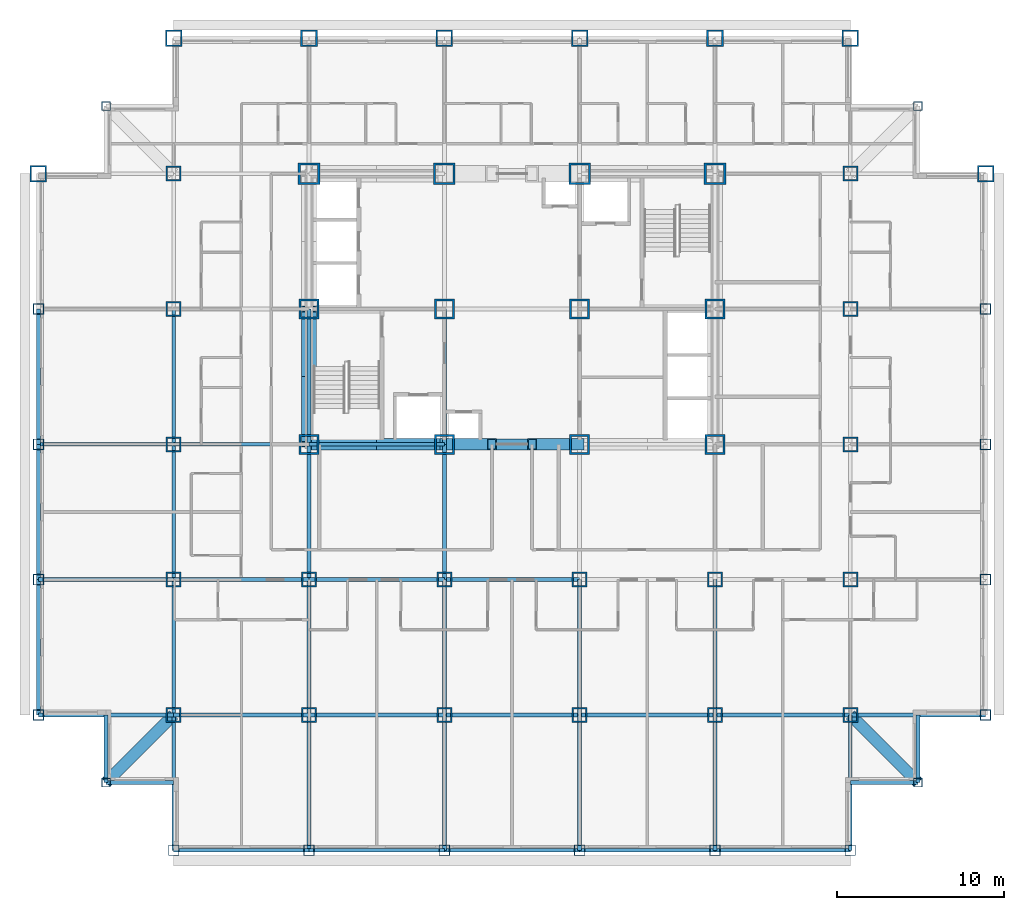
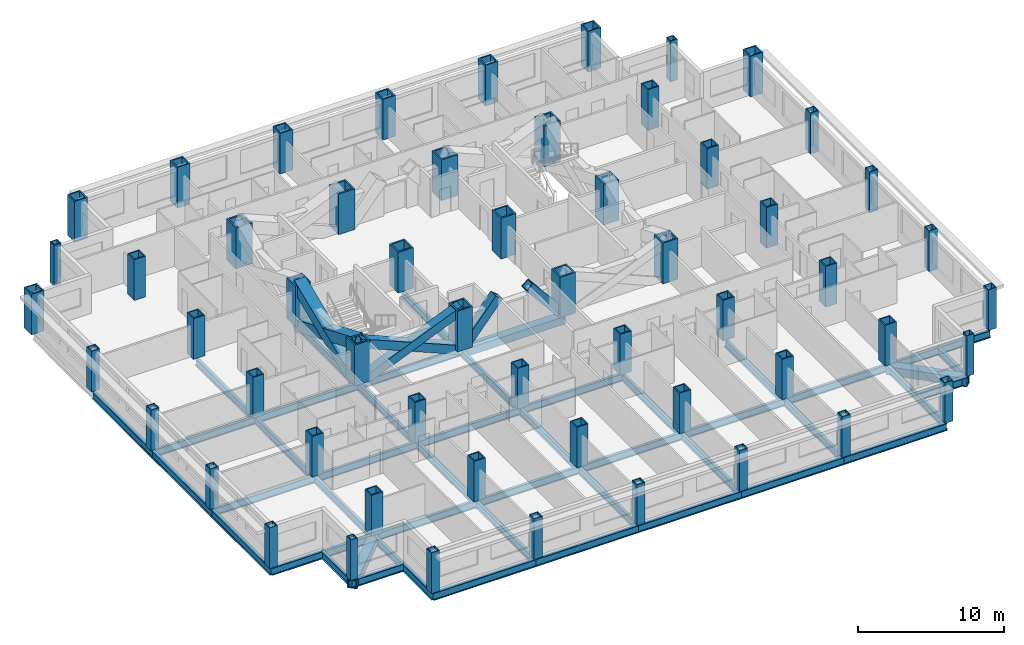
# One storey, part 1 of 11: 56 columns, 46 beams, 6 members.
"""IFC4 building model written with IfcOpenShell, lengths in metres."""

from ifc_helpers import new_model, si_unit, direction, frame, origin, origin_2d, place, context, subcontext, project, spatial, hollow_rectangle, i_section, extrude, material, material_profile, profile_set, type_object, element, save


model = new_model("IFC4")

# Units and contexts
model_context = context("Model", 3, precision=1e-05, world=origin(), true_north=direction((0.0, 1.0)))
body_context = subcontext(model_context, "Body", "Model", "MODEL_VIEW")
ifc_project = project(units=[si_unit("LENGTHUNIT", "METRE"), si_unit("AREAUNIT", "SQUARE_METRE"), si_unit("VOLUMEUNIT", "CUBIC_METRE"), si_unit("PLANEANGLEUNIT", "RADIAN"), si_unit("MASSUNIT", "GRAM", prefix="KILO")], contexts=[model_context])

# Site, building, storey
site_placement = place(None, origin())
site = spatial("IfcSite", under=ifc_project, at=site_placement, CompositionType="ELEMENT")
building_placement = place(site_placement, origin())
building = spatial("IfcBuilding", under=site, at=building_placement, Name="Kopane Lantern Tower", CompositionType="ELEMENT")
storey_placement = place(building_placement, frame((0.0, 0.0, 73.800048828125)))
storey = spatial("IfcBuildingStorey", under=building, at=storey_placement, Name="L18", CompositionType="ELEMENT", Elevation=73.800048828125)

# Columns
ifc_material_1 = material(Name="Steel S355JR", Category="steel")
ifc_material_profile_1 = material_profile(ifc_material_1, hollow_rectangle(XDim=1.0, YDim=1.0, WallThickness=0.10009765625, at=origin_2d()), Name="BOX 1000x1000x100")
ifc_profile_set_1 = profile_set([ifc_material_profile_1], Name="Steel S355JR")
column_type_1 = type_object("IfcColumnType", Name="COLUMN BOX 1000x1000x100", PredefinedType="COLUMN", material=ifc_profile_set_1)
for number, where, z_axis, x_axis, name in (
    (1, (0.0, 40.5, 0.0), (0.0, 0.0, 1.0), (1.0, 0.0, 0.0), "Column 2/G L18"),
    (2, (8.10009765625, 48.60009765625, 0.0), (0.0, 0.0, 1.0), (1.0, 0.0, 0.0), "Column 3/H L18"),
    (3, (16.199951171875, 48.60009765625, 0.0), (0.0, 0.0, 1.0), (1.0, 0.0, 0.0), "Column 4/H L18"),
    (4, (24.300048828125, 48.60009765625, 0.0), (0.0, 0.0, 1.0), (1.0, 0.0, 0.0), "Column 5/H L18"),
    (5, (32.39990234375, 48.60009765625, 0.0), (0.0, 0.0, 1.0), (1.0, 0.0, 0.0), "Column 6/H L18"),
    (6, (40.5, 48.60009765625, 0.0), (0.0, 0.0, 1.0), (1.0, 0.0, 0.0), "Column 7/H L18"),
    (7, (48.60009765625, 48.60009765625, 0.0), (0.0, 0.0, 1.0), (1.0, 0.0, 0.0), "Column 8/H L18"),
    (8, (56.699951171875, 40.5, 0.0), (0.0, 0.0, 1.0), (1.0, 0.0, 0.0), "Column 9/G L18"),
):
    element("IfcColumn", number, at=place(storey_placement, frame(where, z_axis=z_axis, x_axis=x_axis)), inside=storey, type_object=column_type_1, Name=name, PredefinedType="COLUMN", context=body_context, shape_type="SweptSolid", body=[
        extrude(hollow_rectangle(XDim=1.0, YDim=1.0, WallThickness=0.10009765625, at=origin_2d()), origin(), (0.0, 0.0, 1.0), 3.39990234375),
    ])
ifc_material_2 = material(Name="Steel S355JR", Category="steel")
ifc_material_profile_2 = material_profile(ifc_material_2, hollow_rectangle(XDim=1.199951171875, YDim=1.199951171875, WallThickness=0.1201171875, at=origin_2d()), Name="BOX 1200x1200x120")
ifc_profile_set_2 = profile_set([ifc_material_profile_2], Name="Steel S355JR")
column_type_2 = type_object("IfcColumnType", Name="COLUMN BOX 1200x1200x120", PredefinedType="COLUMN", material=ifc_profile_set_2)
for number, where, z_axis, x_axis, name in (
    (9, (16.199951171875, 24.300048828125, 0.0), (0.0, 0.0, 1.0), (1.0, 0.0, 0.0), "Column 4/E L18"),
    (10, (16.199951171875, 32.39990234375, 0.0), (0.0, 0.0, 1.0), (1.0, 0.0, 0.0), "Column 4/F L18"),
    (11, (24.300048828125, 24.300048828125, 0.0), (0.0, 0.0, 1.0), (1.0, 0.0, 0.0), "Column 5/E L18"),
    (12, (24.300048828125, 32.39990234375, 0.0), (0.0, 0.0, 1.0), (1.0, 0.0, 0.0), "Column 5/F L18"),
    (13, (32.39990234375, 24.300048828125, 0.0), (0.0, 0.0, 1.0), (1.0, 0.0, 0.0), "Column 6/E L18"),
    (14, (32.39990234375, 32.39990234375, 0.0), (0.0, 0.0, 1.0), (1.0, 0.0, 0.0), "Column 6/F L18"),
    (15, (40.5, 24.300048828125, 0.0), (0.0, 0.0, 1.0), (1.0, 0.0, 0.0), "Column 7/E L18"),
    (16, (40.5, 32.39990234375, 0.0), (0.0, 0.0, 1.0), (1.0, 0.0, 0.0), "Column 7/F L18"),
):
    element("IfcColumn", number, at=place(storey_placement, frame(where, z_axis=z_axis, x_axis=x_axis)), inside=storey, type_object=column_type_2, Name=name, PredefinedType="COLUMN", context=body_context, shape_type="SweptSolid", body=[
        extrude(hollow_rectangle(XDim=1.199951171875, YDim=1.199951171875, WallThickness=0.1201171875, at=origin_2d()), origin(), (0.0, 0.0, 1.0), 3.39990234375),
    ])
ifc_material_3 = material(Name="Steel S355JR", Category="steel")
ifc_material_profile_3 = material_profile(ifc_material_3, hollow_rectangle(XDim=1.300048828125, YDim=1.300048828125, WallThickness=0.1298828125, at=origin_2d()), Name="BOX 1300x1300x130")
ifc_profile_set_3 = profile_set([ifc_material_profile_3], Name="Steel S355JR")
column_type_3 = type_object("IfcColumnType", Name="COLUMN BOX 1300x1300x130", PredefinedType="COLUMN", material=ifc_profile_set_3)
for number, where, z_axis, x_axis, name in (
    (17, (16.199951171875, 40.5, 0.0), (0.0, 0.0, 1.0), (1.0, 0.0, 0.0), "Column 4/G L18"),
    (18, (24.300048828125, 40.5, 0.0), (0.0, 0.0, 1.0), (1.0, 0.0, 0.0), "Column 5/G L18"),
    (19, (32.39990234375, 40.5, 0.0), (0.0, 0.0, 1.0), (1.0, 0.0, 0.0), "Column 6/G L18"),
    (20, (40.5, 40.5, 0.0), (0.0, 0.0, 1.0), (1.0, 0.0, 0.0), "Column 7/G L18"),
):
    element("IfcColumn", number, at=place(storey_placement, frame(where, z_axis=z_axis, x_axis=x_axis)), inside=storey, type_object=column_type_3, Name=name, PredefinedType="COLUMN", context=body_context, shape_type="SweptSolid", body=[
        extrude(hollow_rectangle(XDim=1.300048828125, YDim=1.300048828125, WallThickness=0.1298828125, at=origin_2d()), origin(), (0.0, 0.0, 1.0), 3.39990234375),
    ])
ifc_material_4 = material(Name="Steel S355JR", Category="steel")
ifc_material_profile_4 = material_profile(ifc_material_4, hollow_rectangle(XDim=0.550048828125, YDim=0.550048828125, WallThickness=0.050048828125, at=origin_2d()), Name="BOX 550x550x50")
ifc_profile_set_4 = profile_set([ifc_material_profile_4], Name="Steel S355JR")
column_type_4 = type_object("IfcColumnType", Name="COLUMN BOX 550x550x50", PredefinedType="COLUMN", material=ifc_profile_set_4)
for number, where, z_axis, x_axis, name in (
    (21, (4.050048828125, 4.050048828125, 0.0), (0.0, 0.0, 1.0), (1.0, 0.0, 0.0), "Column 4.05/4.05 L18"),
    (22, (4.050048828125, 44.550048828125, 0.0), (0.0, 0.0, 1.0), (1.0, 0.0, 0.0), "Column 4.05/44.55 L18"),
    (23, (52.64990234375, 4.050048828125, 0.0), (0.0, 0.0, 1.0), (1.0, 0.0, 0.0), "Column 52.65/4.05 L18"),
    (24, (52.64990234375, 44.550048828125, 0.0), (0.0, 0.0, 1.0), (1.0, 0.0, 0.0), "Column 52.65/44.55 L18"),
):
    element("IfcColumn", number, at=place(storey_placement, frame(where, z_axis=z_axis, x_axis=x_axis)), inside=storey, type_object=column_type_4, Name=name, PredefinedType="COLUMN", context=body_context, shape_type="SweptSolid", body=[
        extrude(hollow_rectangle(XDim=0.550048828125, YDim=0.550048828125, WallThickness=0.050048828125, at=origin_2d()), origin(), (0.0, 0.0, 1.0), 3.39990234375),
    ])
ifc_material_5 = material(Name="Steel S355JR", Category="steel")
ifc_material_profile_5 = material_profile(ifc_material_5, hollow_rectangle(XDim=0.64990234375, YDim=0.64990234375, WallThickness=0.050048828125, at=origin_2d()), Name="BOX 650x650x50")
ifc_profile_set_5 = profile_set([ifc_material_profile_5], Name="Steel S355JR")
column_type_5 = type_object("IfcColumnType", Name="COLUMN BOX 650x650x50", PredefinedType="COLUMN", material=ifc_profile_set_5)
for number, where, z_axis, x_axis, name in (
    (25, (0.0, 8.10009765625, 0.0), (0.0, 0.0, 1.0), (1.0, 0.0, 0.0), "Column 2/C L18"),
    (26, (0.0, 16.199951171875, 0.0), (0.0, 0.0, 1.0), (1.0, 0.0, 0.0), "Column 2/D L18"),
    (27, (0.0, 24.300048828125, 0.0), (0.0, 0.0, 1.0), (1.0, 0.0, 0.0), "Column 2/E L18"),
    (28, (0.0, 32.39990234375, 0.0), (0.0, 0.0, 1.0), (1.0, 0.0, 0.0), "Column 2/F L18"),
    (29, (8.10009765625, 0.0, 0.0), (0.0, 0.0, 1.0), (1.0, 0.0, 0.0), "Column 3/B L18"),
    (30, (16.199951171875, 0.0, 0.0), (0.0, 0.0, 1.0), (1.0, 0.0, 0.0), "Column 4/B L18"),
    (31, (24.300048828125, 0.0, 0.0), (0.0, 0.0, 1.0), (1.0, 0.0, 0.0), "Column 5/B L18"),
    (32, (32.39990234375, 0.0, 0.0), (0.0, 0.0, 1.0), (1.0, 0.0, 0.0), "Column 6/B L18"),
    (33, (40.5, 0.0, 0.0), (0.0, 0.0, 1.0), (1.0, 0.0, 0.0), "Column 7/B L18"),
    (34, (48.60009765625, 0.0, 0.0), (0.0, 0.0, 1.0), (1.0, 0.0, 0.0), "Column 8/B L18"),
    (35, (56.699951171875, 8.10009765625, 0.0), (0.0, 0.0, 1.0), (1.0, 0.0, 0.0), "Column 9/C L18"),
    (36, (56.699951171875, 16.199951171875, 0.0), (0.0, 0.0, 1.0), (1.0, 0.0, 0.0), "Column 9/D L18"),
    (37, (56.699951171875, 24.300048828125, 0.0), (0.0, 0.0, 1.0), (1.0, 0.0, 0.0), "Column 9/E L18"),
    (38, (56.699951171875, 32.39990234375, 0.0), (0.0, 0.0, 1.0), (1.0, 0.0, 0.0), "Column 9/F L18"),
):
    element("IfcColumn", number, at=place(storey_placement, frame(where, z_axis=z_axis, x_axis=x_axis)), inside=storey, type_object=column_type_5, Name=name, PredefinedType="COLUMN", context=body_context, shape_type="SweptSolid", body=[
        extrude(hollow_rectangle(XDim=0.64990234375, YDim=0.64990234375, WallThickness=0.050048828125, at=origin_2d()), origin(), (0.0, 0.0, 1.0), 3.39990234375),
    ])
ifc_material_6 = material(Name="Steel S355JR", Category="steel")
ifc_material_profile_6 = material_profile(ifc_material_6, hollow_rectangle(XDim=0.89990234375, YDim=0.89990234375, WallThickness=0.090087890625, at=origin_2d()), Name="BOX 900x900x90")
ifc_profile_set_6 = profile_set([ifc_material_profile_6], Name="Steel S355JR")
column_type_6 = type_object("IfcColumnType", Name="COLUMN BOX 900x900x90", PredefinedType="COLUMN", material=ifc_profile_set_6)
for number, where, z_axis, x_axis, name in (
    (39, (8.10009765625, 8.10009765625, 0.0), (0.0, 0.0, 1.0), (1.0, 0.0, 0.0), "Column 3/C L18"),
    (40, (8.10009765625, 16.199951171875, 0.0), (0.0, 0.0, 1.0), (1.0, 0.0, 0.0), "Column 3/D L18"),
    (41, (8.10009765625, 24.300048828125, 0.0), (0.0, 0.0, 1.0), (1.0, 0.0, 0.0), "Column 3/E L18"),
    (42, (8.10009765625, 32.39990234375, 0.0), (0.0, 0.0, 1.0), (1.0, 0.0, 0.0), "Column 3/F L18"),
    (43, (8.10009765625, 40.5, 0.0), (0.0, 0.0, 1.0), (1.0, 0.0, 0.0), "Column 3/G L18"),
    (44, (16.199951171875, 8.10009765625, 0.0), (0.0, 0.0, 1.0), (1.0, 0.0, 0.0), "Column 4/C L18"),
    (45, (16.199951171875, 16.199951171875, 0.0), (0.0, 0.0, 1.0), (1.0, 0.0, 0.0), "Column 4/D L18"),
    (46, (24.300048828125, 8.10009765625, 0.0), (0.0, 0.0, 1.0), (1.0, 0.0, 0.0), "Column 5/C L18"),
    (47, (24.300048828125, 16.199951171875, 0.0), (0.0, 0.0, 1.0), (1.0, 0.0, 0.0), "Column 5/D L18"),
    (48, (32.39990234375, 8.10009765625, 0.0), (0.0, 0.0, 1.0), (1.0, 0.0, 0.0), "Column 6/C L18"),
    (49, (32.39990234375, 16.199951171875, 0.0), (0.0, 0.0, 1.0), (1.0, 0.0, 0.0), "Column 6/D L18"),
    (50, (40.5, 8.10009765625, 0.0), (0.0, 0.0, 1.0), (1.0, 0.0, 0.0), "Column 7/C L18"),
    (51, (40.5, 16.199951171875, 0.0), (0.0, 0.0, 1.0), (1.0, 0.0, 0.0), "Column 7/D L18"),
    (52, (48.60009765625, 8.10009765625, 0.0), (0.0, 0.0, 1.0), (1.0, 0.0, 0.0), "Column 8/C L18"),
    (53, (48.60009765625, 16.199951171875, 0.0), (0.0, 0.0, 1.0), (1.0, 0.0, 0.0), "Column 8/D L18"),
    (54, (48.60009765625, 24.300048828125, 0.0), (0.0, 0.0, 1.0), (1.0, 0.0, 0.0), "Column 8/E L18"),
    (55, (48.60009765625, 32.39990234375, 0.0), (0.0, 0.0, 1.0), (1.0, 0.0, 0.0), "Column 8/F L18"),
    (56, (48.60009765625, 40.5, 0.0), (0.0, 0.0, 1.0), (1.0, 0.0, 0.0), "Column 8/G L18"),
):
    element("IfcColumn", number, at=place(storey_placement, frame(where, z_axis=z_axis, x_axis=x_axis)), inside=storey, type_object=column_type_6, Name=name, PredefinedType="COLUMN", context=body_context, shape_type="SweptSolid", body=[
        extrude(hollow_rectangle(XDim=0.89990234375, YDim=0.89990234375, WallThickness=0.090087890625, at=origin_2d()), origin(), (0.0, 0.0, 1.0), 3.39990234375),
    ])

# Members
ifc_material_7 = material(Name="Steel S355JR", Category="steel")
ifc_material_profile_7 = material_profile(ifc_material_7, hollow_rectangle(XDim=0.699951171875, YDim=0.699951171875, WallThickness=0.06005859375, at=origin_2d()), Name="BOX 700x700x60")
ifc_profile_set_7 = profile_set([ifc_material_profile_7], Name="Steel S355JR")
member_type_1 = type_object("IfcMemberType", Name="BRACE BOX 700x700x60", PredefinedType="BRACE", material=ifc_profile_set_7)
for number, where, z_axis, x_axis, name in (
    (57, (16.199951171875, 24.300048828125, -0.2099609375), (0.922069000757, 0.0, 0.387025526088), (0.0, 1.0, 0.0), "Core brace L18"),
    (58, (24.300048828125, 24.300048828125, -0.2099609375), (-0.922069000757, 0.0, 0.387025526088), (0.0, -1.0, 0.0), "Core brace L18"),
):
    element("IfcMember", number, at=place(storey_placement, frame(where, z_axis=z_axis, x_axis=x_axis)), inside=storey, type_object=member_type_1, Name=name, PredefinedType="BRACE", context=body_context, shape_type="SweptSolid", body=[
        extrude(hollow_rectangle(XDim=0.699951171875, YDim=0.699951171875, WallThickness=0.06005859375, at=origin_2d()), origin(), (0.0, 0.0, 1.0), 8.78466796875),
    ])
for number, where, z_axis, x_axis, name in (
    (59, (24.300048828125, 24.300048828125, -0.2099609375), (0.642390257445, 0.0, 0.7663776857), (0.0, 1.0, 0.0), "Core brace L18"),
    (60, (32.39990234375, 24.300048828125, -0.2099609375), (-0.642390257445, 0.0, 0.7663776857), (0.0, -1.0, 0.0), "Core brace L18"),
):
    element("IfcMember", number, at=place(storey_placement, frame(where, z_axis=z_axis, x_axis=x_axis)), inside=storey, type_object=member_type_1, Name=name, PredefinedType="BRACE", context=body_context, shape_type="SweptSolid", body=[
        extrude(hollow_rectangle(XDim=0.699951171875, YDim=0.699951171875, WallThickness=0.06005859375, at=origin_2d()), origin(), (0.0, 0.0, 1.0), 4.436279296875),
    ])
ifc_material_8 = material(Name="Steel S355JR", Category="steel")
ifc_material_profile_8 = material_profile(ifc_material_8, hollow_rectangle(XDim=0.89990234375, YDim=0.89990234375, WallThickness=0.090087890625, at=origin_2d()), Name="BOX 900x900x90")
ifc_profile_set_8 = profile_set([ifc_material_profile_8], Name="Steel S355JR")
member_type_2 = type_object("IfcMemberType", Name="BRACE BOX 900x900x90", PredefinedType="BRACE", material=ifc_profile_set_8)
for number, where, z_axis, x_axis, name in (
    (61, (16.199951171875, 24.300048828125, -0.2099609375), (0.0, 0.922064837731, 0.38703544414), (-1.0, 0.0, 0.0), "Core brace L18"),
    (62, (16.199951171875, 32.39990234375, -0.2099609375), (0.0, -0.922064837731, 0.38703544414), (1.0, 0.0, 0.0), "Core brace L18"),
):
    element("IfcMember", number, at=place(storey_placement, frame(where, z_axis=z_axis, x_axis=x_axis)), inside=storey, type_object=member_type_2, Name=name, PredefinedType="BRACE", context=body_context, shape_type="SweptSolid", body=[
        extrude(hollow_rectangle(XDim=0.89990234375, YDim=0.89990234375, WallThickness=0.090087890625, at=origin_2d()), origin(), (0.0, 0.0, 1.0), 8.784423828125),
    ])

# Beams
ifc_material_9 = material(Name="Steel S355JR", Category="steel")
ifc_material_profile_9 = material_profile(ifc_material_9, i_section(OverallWidth=0.22900390625, OverallDepth=0.6123046875, WebThickness=0.011962890625, FlangeThickness=0.01953125, FilletRadius=0.0126953125, at=origin_2d()), Name="UB 610x229x125")
ifc_profile_set_9 = profile_set([ifc_material_profile_9], Name="Steel S355JR")
beam_type_1 = type_object("IfcBeamType", Name="CORE BEAM UB 610x229x125", PredefinedType="BEAM", material=ifc_profile_set_9)
beam_1_placement = place(storey_placement, frame((24.300048828125, 24.300048828125, -0.51611328125), z_axis=(0.0, 1.0, 0.0), x_axis=(-1.0, 0.0, 0.0)))
element("IfcBeam", 63, at=beam_1_placement, inside=storey, type_object=beam_type_1, Name="Core Beam L18", PredefinedType="BEAM", context=body_context, shape_type="SweptSolid", body=[
    extrude(i_section(OverallWidth=0.22900390625, OverallDepth=0.6123046875, WebThickness=0.011962890625, FlangeThickness=0.01953125, FilletRadius=0.0126953125, at=origin_2d()), origin(), (0.0, 0.0, 1.0), 8.099853515625),
])
ifc_material_10 = material(Name="Steel S355JR", Category="steel")
ifc_material_profile_10 = material_profile(ifc_material_10, hollow_rectangle(XDim=0.699951171875, YDim=0.699951171875, WallThickness=0.06005859375, at=origin_2d()), Name="BOX 700x700x60")
ifc_profile_set_10 = profile_set([ifc_material_profile_10], Name="Steel S355JR")
beam_type_2 = type_object("IfcBeamType", Name="CORNER TIE BEAM BOX 700x700x60", PredefinedType="BEAM", material=ifc_profile_set_10)
for number, where, z_axis, x_axis, name in (
    (64, (4.050048828125, 4.050048828125, -0.56005859375), (0.707106781187, 0.707106781187, 0.0), (-0.707106781187, 0.707106781187, 0.0), "Corner Tie Beam L18"),
    (65, (52.64990234375, 4.050048828125, -0.56005859375), (-0.707085467703, 0.707128094028, 0.0), (-0.707128094028, -0.707085467703, 0.0), "Corner Tie Beam L18"),
):
    element("IfcBeam", number, at=place(storey_placement, frame(where, z_axis=z_axis, x_axis=x_axis)), inside=storey, type_object=beam_type_2, Name=name, PredefinedType="BEAM", context=body_context, shape_type="SweptSolid", body=[
        extrude(hollow_rectangle(XDim=0.699951171875, YDim=0.699951171875, WallThickness=0.06005859375, at=origin_2d()), origin(), (0.0, 0.0, 1.0), 5.7275390625),
    ])
ifc_material_11 = material(Name="Steel S355JR", Category="steel")
ifc_material_profile_11 = material_profile(ifc_material_11, i_section(OverallWidth=0.22900390625, OverallDepth=0.6123046875, WebThickness=0.011962890625, FlangeThickness=0.01953125, FilletRadius=0.0126953125, at=origin_2d()), Name="UB 610x229x125")
ifc_profile_set_11 = profile_set([ifc_material_profile_11], Name="Steel S355JR")
beam_type_3 = type_object("IfcBeamType", Name="EDGE BEAM UB 610x229x125", PredefinedType="BEAM", material=ifc_profile_set_11)
for number, where, z_axis, x_axis, name in (
    (66, (4.050048828125, 4.050048828125, -0.51611328125), (0.0, 1.0, 0.0), (-1.0, 0.0, 0.0), "Edge Beam L18"),
    (67, (4.050048828125, 4.050048828125, -0.51611328125), (1.0, 0.0, 0.0), (0.0, 1.0, 0.0), "Edge Beam L18"),
):
    element("IfcBeam", number, at=place(storey_placement, frame(where, z_axis=z_axis, x_axis=x_axis)), inside=storey, type_object=beam_type_3, Name=name, PredefinedType="BEAM", context=body_context, shape_type="SweptSolid", body=[
        extrude(i_section(OverallWidth=0.22900390625, OverallDepth=0.6123046875, WebThickness=0.011962890625, FlangeThickness=0.01953125, FilletRadius=0.0126953125, at=origin_2d()), origin(), (0.0, 0.0, 1.0), 4.050048828125),
    ])
beam_2_placement = place(storey_placement, frame((52.64990234375, 4.050048828125, -0.51611328125), z_axis=(-1.0, 0.0, 0.0), x_axis=(0.0, -1.0, 0.0)))
element("IfcBeam", 68, at=beam_2_placement, inside=storey, type_object=beam_type_3, Name="Edge Beam L18", PredefinedType="BEAM", context=body_context, shape_type="SweptSolid", body=[
    extrude(i_section(OverallWidth=0.22900390625, OverallDepth=0.6123046875, WebThickness=0.011962890625, FlangeThickness=0.01953125, FilletRadius=0.0126953125, at=origin_2d()), origin(), (0.0, 0.0, 1.0), 4.0498046875),
])
beam_3_placement = place(storey_placement, frame((52.64990234375, 4.050048828125, -0.51611328125), z_axis=(0.0, 1.0, 0.0), x_axis=(-1.0, 0.0, 0.0)))
element("IfcBeam", 69, at=beam_3_placement, inside=storey, type_object=beam_type_3, Name="Edge Beam L18", PredefinedType="BEAM", context=body_context, shape_type="SweptSolid", body=[
    extrude(i_section(OverallWidth=0.22900390625, OverallDepth=0.6123046875, WebThickness=0.011962890625, FlangeThickness=0.01953125, FilletRadius=0.0126953125, at=origin_2d()), origin(), (0.0, 0.0, 1.0), 4.050048828125),
])
ifc_material_12 = material(Name="Steel S355JR", Category="steel")
ifc_material_profile_12 = material_profile(ifc_material_12, i_section(OverallWidth=0.22900390625, OverallDepth=0.6123046875, WebThickness=0.011962890625, FlangeThickness=0.01953125, FilletRadius=0.0126953125, at=origin_2d()), Name="UB 610x229x125")
ifc_profile_set_12 = profile_set([ifc_material_profile_12], Name="Steel S355JR")
beam_type_4 = type_object("IfcBeamType", Name="GIRDER UB 610x229x125", PredefinedType="BEAM", material=ifc_profile_set_12)
beam_4_placement = place(storey_placement, frame((0.0, 8.10009765625, -0.51611328125), z_axis=(0.0, 1.0, 0.0), x_axis=(-1.0, 0.0, 0.0)))
element("IfcBeam", 70, at=beam_4_placement, inside=storey, type_object=beam_type_4, Name="Girder L18", PredefinedType="BEAM", context=body_context, shape_type="SweptSolid", body=[
    extrude(i_section(OverallWidth=0.22900390625, OverallDepth=0.6123046875, WebThickness=0.011962890625, FlangeThickness=0.01953125, FilletRadius=0.0126953125, at=origin_2d()), origin(), (0.0, 0.0, 1.0), 8.099853515625),
])
for number, where, z_axis, x_axis, name in (
    (71, (0.0, 8.10009765625, -0.51611328125), (1.0, 0.0, 0.0), (0.0, 1.0, 0.0), "Girder L18"),
    (72, (0.0, 16.199951171875, -0.51611328125), (0.0, 1.0, 0.0), (-1.0, 0.0, 0.0), "Girder L18"),
    (73, (0.0, 16.199951171875, -0.51611328125), (1.0, 0.0, 0.0), (0.0, 1.0, 0.0), "Girder L18"),
):
    element("IfcBeam", number, at=place(storey_placement, frame(where, z_axis=z_axis, x_axis=x_axis)), inside=storey, type_object=beam_type_4, Name=name, PredefinedType="BEAM", context=body_context, shape_type="SweptSolid", body=[
        extrude(i_section(OverallWidth=0.22900390625, OverallDepth=0.6123046875, WebThickness=0.011962890625, FlangeThickness=0.01953125, FilletRadius=0.0126953125, at=origin_2d()), origin(), (0.0, 0.0, 1.0), 8.10009765625),
    ])
beam_5_placement = place(storey_placement, frame((0.0, 24.300048828125, -0.51611328125), z_axis=(0.0, 1.0, 0.0), x_axis=(-1.0, 0.0, 0.0)))
element("IfcBeam", 74, at=beam_5_placement, inside=storey, type_object=beam_type_4, Name="Girder L18", PredefinedType="BEAM", context=body_context, shape_type="SweptSolid", body=[
    extrude(i_section(OverallWidth=0.22900390625, OverallDepth=0.6123046875, WebThickness=0.011962890625, FlangeThickness=0.01953125, FilletRadius=0.0126953125, at=origin_2d()), origin(), (0.0, 0.0, 1.0), 8.099853515625),
])
for number, where, z_axis, x_axis, name in (
    (75, (0.0, 24.300048828125, -0.51611328125), (1.0, 0.0, 0.0), (0.0, 1.0, 0.0), "Girder L18"),
    (76, (8.10009765625, 0.0, -0.51611328125), (0.0, 1.0, 0.0), (-1.0, 0.0, 0.0), "Girder L18"),
):
    element("IfcBeam", number, at=place(storey_placement, frame(where, z_axis=z_axis, x_axis=x_axis)), inside=storey, type_object=beam_type_4, Name=name, PredefinedType="BEAM", context=body_context, shape_type="SweptSolid", body=[
        extrude(i_section(OverallWidth=0.22900390625, OverallDepth=0.6123046875, WebThickness=0.011962890625, FlangeThickness=0.01953125, FilletRadius=0.0126953125, at=origin_2d()), origin(), (0.0, 0.0, 1.0), 8.10009765625),
    ])
for number, where, z_axis, x_axis, name in (
    (77, (8.10009765625, 0.0, -0.51611328125), (1.0, 0.0, 0.0), (0.0, 1.0, 0.0), "Girder L18"),
    (78, (8.10009765625, 8.10009765625, -0.51611328125), (0.0, 1.0, 0.0), (-1.0, 0.0, 0.0), "Girder L18"),
    (79, (8.10009765625, 8.10009765625, -0.51611328125), (1.0, 0.0, 0.0), (0.0, 1.0, 0.0), "Girder L18"),
):
    element("IfcBeam", number, at=place(storey_placement, frame(where, z_axis=z_axis, x_axis=x_axis)), inside=storey, type_object=beam_type_4, Name=name, PredefinedType="BEAM", context=body_context, shape_type="SweptSolid", body=[
        extrude(i_section(OverallWidth=0.22900390625, OverallDepth=0.6123046875, WebThickness=0.011962890625, FlangeThickness=0.01953125, FilletRadius=0.0126953125, at=origin_2d()), origin(), (0.0, 0.0, 1.0), 8.099853515625),
    ])
beam_6_placement = place(storey_placement, frame((8.10009765625, 16.199951171875, -0.51611328125), z_axis=(0.0, 1.0, 0.0), x_axis=(-1.0, 0.0, 0.0)))
element("IfcBeam", 80, at=beam_6_placement, inside=storey, type_object=beam_type_4, Name="Girder L18", PredefinedType="BEAM", context=body_context, shape_type="SweptSolid", body=[
    extrude(i_section(OverallWidth=0.22900390625, OverallDepth=0.6123046875, WebThickness=0.011962890625, FlangeThickness=0.01953125, FilletRadius=0.0126953125, at=origin_2d()), origin(), (0.0, 0.0, 1.0), 8.10009765625),
])
for number, where, z_axis, x_axis, name in (
    (81, (8.10009765625, 16.199951171875, -0.51611328125), (1.0, 0.0, 0.0), (0.0, 1.0, 0.0), "Girder L18"),
    (82, (8.10009765625, 24.300048828125, -0.51611328125), (0.0, 1.0, 0.0), (-1.0, 0.0, 0.0), "Girder L18"),
    (83, (8.10009765625, 24.300048828125, -0.51611328125), (1.0, 0.0, 0.0), (0.0, 1.0, 0.0), "Girder L18"),
):
    element("IfcBeam", number, at=place(storey_placement, frame(where, z_axis=z_axis, x_axis=x_axis)), inside=storey, type_object=beam_type_4, Name=name, PredefinedType="BEAM", context=body_context, shape_type="SweptSolid", body=[
        extrude(i_section(OverallWidth=0.22900390625, OverallDepth=0.6123046875, WebThickness=0.011962890625, FlangeThickness=0.01953125, FilletRadius=0.0126953125, at=origin_2d()), origin(), (0.0, 0.0, 1.0), 8.099853515625),
    ])
for number, where, z_axis, x_axis, name in (
    (84, (16.199951171875, 0.0, -0.51611328125), (0.0, 1.0, 0.0), (-1.0, 0.0, 0.0), "Girder L18"),
    (85, (16.199951171875, 0.0, -0.51611328125), (1.0, 0.0, 0.0), (0.0, 1.0, 0.0), "Girder L18"),
):
    element("IfcBeam", number, at=place(storey_placement, frame(where, z_axis=z_axis, x_axis=x_axis)), inside=storey, type_object=beam_type_4, Name=name, PredefinedType="BEAM", context=body_context, shape_type="SweptSolid", body=[
        extrude(i_section(OverallWidth=0.22900390625, OverallDepth=0.6123046875, WebThickness=0.011962890625, FlangeThickness=0.01953125, FilletRadius=0.0126953125, at=origin_2d()), origin(), (0.0, 0.0, 1.0), 8.10009765625),
    ])
beam_7_placement = place(storey_placement, frame((16.199951171875, 8.10009765625, -0.51611328125), z_axis=(0.0, 1.0, 0.0), x_axis=(-1.0, 0.0, 0.0)))
element("IfcBeam", 86, at=beam_7_placement, inside=storey, type_object=beam_type_4, Name="Girder L18", PredefinedType="BEAM", context=body_context, shape_type="SweptSolid", body=[
    extrude(i_section(OverallWidth=0.22900390625, OverallDepth=0.6123046875, WebThickness=0.011962890625, FlangeThickness=0.01953125, FilletRadius=0.0126953125, at=origin_2d()), origin(), (0.0, 0.0, 1.0), 8.099853515625),
])
for number, where, z_axis, x_axis, name in (
    (87, (16.199951171875, 8.10009765625, -0.51611328125), (1.0, 0.0, 0.0), (0.0, 1.0, 0.0), "Girder L18"),
    (88, (16.199951171875, 16.199951171875, -0.51611328125), (0.0, 1.0, 0.0), (-1.0, 0.0, 0.0), "Girder L18"),
    (89, (16.199951171875, 16.199951171875, -0.51611328125), (1.0, 0.0, 0.0), (0.0, 1.0, 0.0), "Girder L18"),
):
    element("IfcBeam", number, at=place(storey_placement, frame(where, z_axis=z_axis, x_axis=x_axis)), inside=storey, type_object=beam_type_4, Name=name, PredefinedType="BEAM", context=body_context, shape_type="SweptSolid", body=[
        extrude(i_section(OverallWidth=0.22900390625, OverallDepth=0.6123046875, WebThickness=0.011962890625, FlangeThickness=0.01953125, FilletRadius=0.0126953125, at=origin_2d()), origin(), (0.0, 0.0, 1.0), 8.10009765625),
    ])
beam_8_placement = place(storey_placement, frame((16.199951171875, 24.300048828125, -0.51611328125), z_axis=(0.0, 1.0, 0.0), x_axis=(-1.0, 0.0, 0.0)))
element("IfcBeam", 90, at=beam_8_placement, inside=storey, type_object=beam_type_4, Name="Girder L18", PredefinedType="BEAM", context=body_context, shape_type="SweptSolid", body=[
    extrude(i_section(OverallWidth=0.22900390625, OverallDepth=0.6123046875, WebThickness=0.011962890625, FlangeThickness=0.01953125, FilletRadius=0.0126953125, at=origin_2d()), origin(), (0.0, 0.0, 1.0), 8.099853515625),
])
for number, where, z_axis, x_axis, name in (
    (91, (16.199951171875, 24.300048828125, -0.51611328125), (1.0, 0.0, 0.0), (0.0, 1.0, 0.0), "Girder L18"),
    (92, (24.300048828125, 0.0, -0.51611328125), (0.0, 1.0, 0.0), (-1.0, 0.0, 0.0), "Girder L18"),
):
    element("IfcBeam", number, at=place(storey_placement, frame(where, z_axis=z_axis, x_axis=x_axis)), inside=storey, type_object=beam_type_4, Name=name, PredefinedType="BEAM", context=body_context, shape_type="SweptSolid", body=[
        extrude(i_section(OverallWidth=0.22900390625, OverallDepth=0.6123046875, WebThickness=0.011962890625, FlangeThickness=0.01953125, FilletRadius=0.0126953125, at=origin_2d()), origin(), (0.0, 0.0, 1.0), 8.10009765625),
    ])
for number, where, z_axis, x_axis, name in (
    (93, (24.300048828125, 0.0, -0.51611328125), (1.0, 0.0, 0.0), (0.0, 1.0, 0.0), "Girder L18"),
    (94, (24.300048828125, 8.10009765625, -0.51611328125), (0.0, 1.0, 0.0), (-1.0, 0.0, 0.0), "Girder L18"),
    (95, (24.300048828125, 8.10009765625, -0.51611328125), (1.0, 0.0, 0.0), (0.0, 1.0, 0.0), "Girder L18"),
):
    element("IfcBeam", number, at=place(storey_placement, frame(where, z_axis=z_axis, x_axis=x_axis)), inside=storey, type_object=beam_type_4, Name=name, PredefinedType="BEAM", context=body_context, shape_type="SweptSolid", body=[
        extrude(i_section(OverallWidth=0.22900390625, OverallDepth=0.6123046875, WebThickness=0.011962890625, FlangeThickness=0.01953125, FilletRadius=0.0126953125, at=origin_2d()), origin(), (0.0, 0.0, 1.0), 8.099853515625),
    ])
beam_9_placement = place(storey_placement, frame((24.300048828125, 16.199951171875, -0.51611328125), z_axis=(0.0, 1.0, 0.0), x_axis=(-1.0, 0.0, 0.0)))
element("IfcBeam", 96, at=beam_9_placement, inside=storey, type_object=beam_type_4, Name="Girder L18", PredefinedType="BEAM", context=body_context, shape_type="SweptSolid", body=[
    extrude(i_section(OverallWidth=0.22900390625, OverallDepth=0.6123046875, WebThickness=0.011962890625, FlangeThickness=0.01953125, FilletRadius=0.0126953125, at=origin_2d()), origin(), (0.0, 0.0, 1.0), 8.10009765625),
])
beam_10_placement = place(storey_placement, frame((24.300048828125, 16.199951171875, -0.51611328125), z_axis=(1.0, 0.0, 0.0), x_axis=(0.0, 1.0, 0.0)))
element("IfcBeam", 97, at=beam_10_placement, inside=storey, type_object=beam_type_4, Name="Girder L18", PredefinedType="BEAM", context=body_context, shape_type="SweptSolid", body=[
    extrude(i_section(OverallWidth=0.22900390625, OverallDepth=0.6123046875, WebThickness=0.011962890625, FlangeThickness=0.01953125, FilletRadius=0.0126953125, at=origin_2d()), origin(), (0.0, 0.0, 1.0), 8.099853515625),
])
for number, where, z_axis, x_axis, name in (
    (98, (32.39990234375, 0.0, -0.51611328125), (0.0, 1.0, 0.0), (-1.0, 0.0, 0.0), "Girder L18"),
    (99, (32.39990234375, 0.0, -0.51611328125), (1.0, 0.0, 0.0), (0.0, 1.0, 0.0), "Girder L18"),
):
    element("IfcBeam", number, at=place(storey_placement, frame(where, z_axis=z_axis, x_axis=x_axis)), inside=storey, type_object=beam_type_4, Name=name, PredefinedType="BEAM", context=body_context, shape_type="SweptSolid", body=[
        extrude(i_section(OverallWidth=0.22900390625, OverallDepth=0.6123046875, WebThickness=0.011962890625, FlangeThickness=0.01953125, FilletRadius=0.0126953125, at=origin_2d()), origin(), (0.0, 0.0, 1.0), 8.10009765625),
    ])
beam_11_placement = place(storey_placement, frame((32.39990234375, 8.10009765625, -0.51611328125), z_axis=(0.0, 1.0, 0.0), x_axis=(-1.0, 0.0, 0.0)))
element("IfcBeam", 100, at=beam_11_placement, inside=storey, type_object=beam_type_4, Name="Girder L18", PredefinedType="BEAM", context=body_context, shape_type="SweptSolid", body=[
    extrude(i_section(OverallWidth=0.22900390625, OverallDepth=0.6123046875, WebThickness=0.011962890625, FlangeThickness=0.01953125, FilletRadius=0.0126953125, at=origin_2d()), origin(), (0.0, 0.0, 1.0), 8.099853515625),
])
for number, where, z_axis, x_axis, name in (
    (101, (32.39990234375, 8.10009765625, -0.51611328125), (1.0, 0.0, 0.0), (0.0, 1.0, 0.0), "Girder L18"),
    (102, (40.5, 0.0, -0.51611328125), (0.0, 1.0, 0.0), (-1.0, 0.0, 0.0), "Girder L18"),
    (103, (40.5, 0.0, -0.51611328125), (1.0, 0.0, 0.0), (0.0, 1.0, 0.0), "Girder L18"),
):
    element("IfcBeam", number, at=place(storey_placement, frame(where, z_axis=z_axis, x_axis=x_axis)), inside=storey, type_object=beam_type_4, Name=name, PredefinedType="BEAM", context=body_context, shape_type="SweptSolid", body=[
        extrude(i_section(OverallWidth=0.22900390625, OverallDepth=0.6123046875, WebThickness=0.011962890625, FlangeThickness=0.01953125, FilletRadius=0.0126953125, at=origin_2d()), origin(), (0.0, 0.0, 1.0), 8.10009765625),
    ])
beam_12_placement = place(storey_placement, frame((40.5, 8.10009765625, -0.51611328125), z_axis=(0.0, 1.0, 0.0), x_axis=(-1.0, 0.0, 0.0)))
element("IfcBeam", 104, at=beam_12_placement, inside=storey, type_object=beam_type_4, Name="Girder L18", PredefinedType="BEAM", context=body_context, shape_type="SweptSolid", body=[
    extrude(i_section(OverallWidth=0.22900390625, OverallDepth=0.6123046875, WebThickness=0.011962890625, FlangeThickness=0.01953125, FilletRadius=0.0126953125, at=origin_2d()), origin(), (0.0, 0.0, 1.0), 8.099853515625),
])
for number, where, z_axis, x_axis, name in (
    (105, (40.5, 8.10009765625, -0.51611328125), (1.0, 0.0, 0.0), (0.0, 1.0, 0.0), "Girder L18"),
    (106, (48.60009765625, 0.0, -0.51611328125), (0.0, 1.0, 0.0), (-1.0, 0.0, 0.0), "Girder L18"),
):
    element("IfcBeam", number, at=place(storey_placement, frame(where, z_axis=z_axis, x_axis=x_axis)), inside=storey, type_object=beam_type_4, Name=name, PredefinedType="BEAM", context=body_context, shape_type="SweptSolid", body=[
        extrude(i_section(OverallWidth=0.22900390625, OverallDepth=0.6123046875, WebThickness=0.011962890625, FlangeThickness=0.01953125, FilletRadius=0.0126953125, at=origin_2d()), origin(), (0.0, 0.0, 1.0), 8.10009765625),
    ])
beam_13_placement = place(storey_placement, frame((48.60009765625, 8.10009765625, -0.51611328125), z_axis=(1.0, 0.0, 0.0), x_axis=(0.0, 1.0, 0.0)))
element("IfcBeam", 107, at=beam_13_placement, inside=storey, type_object=beam_type_4, Name="Girder L18", PredefinedType="BEAM", context=body_context, shape_type="SweptSolid", body=[
    extrude(i_section(OverallWidth=0.22900390625, OverallDepth=0.6123046875, WebThickness=0.011962890625, FlangeThickness=0.01953125, FilletRadius=0.0126953125, at=origin_2d()), origin(), (0.0, 0.0, 1.0), 8.099853515625),
])
ifc_material_13 = material(Name="Steel S355JR", Category="steel")
ifc_material_profile_13 = material_profile(ifc_material_13, hollow_rectangle(XDim=0.64990234375, YDim=0.64990234375, WallThickness=0.070068359375, at=origin_2d()), Name="BOX 650x650x70")
ifc_profile_set_13 = profile_set([ifc_material_profile_13], Name="Steel S355JR")
beam_type_5 = type_object("IfcBeamType", Name="LINK BEAM BOX 650x650x70", PredefinedType="BEAM", material=ifc_profile_set_13)
beam_14_placement = place(storey_placement, frame((24.300048828125, 24.300048828125, -0.53515625), z_axis=(1.0, 0.0, 0.0), x_axis=(0.0, 1.0, 0.0)))
element("IfcBeam", 108, at=beam_14_placement, inside=storey, type_object=beam_type_5, Name="Link Beam L18", PredefinedType="BEAM", context=body_context, shape_type="SweptSolid", body=[
    extrude(hollow_rectangle(XDim=0.64990234375, YDim=0.64990234375, WallThickness=0.070068359375, at=origin_2d()), origin(), (0.0, 0.0, 1.0), 8.099853515625),
])

save(model, "model.ifc")
